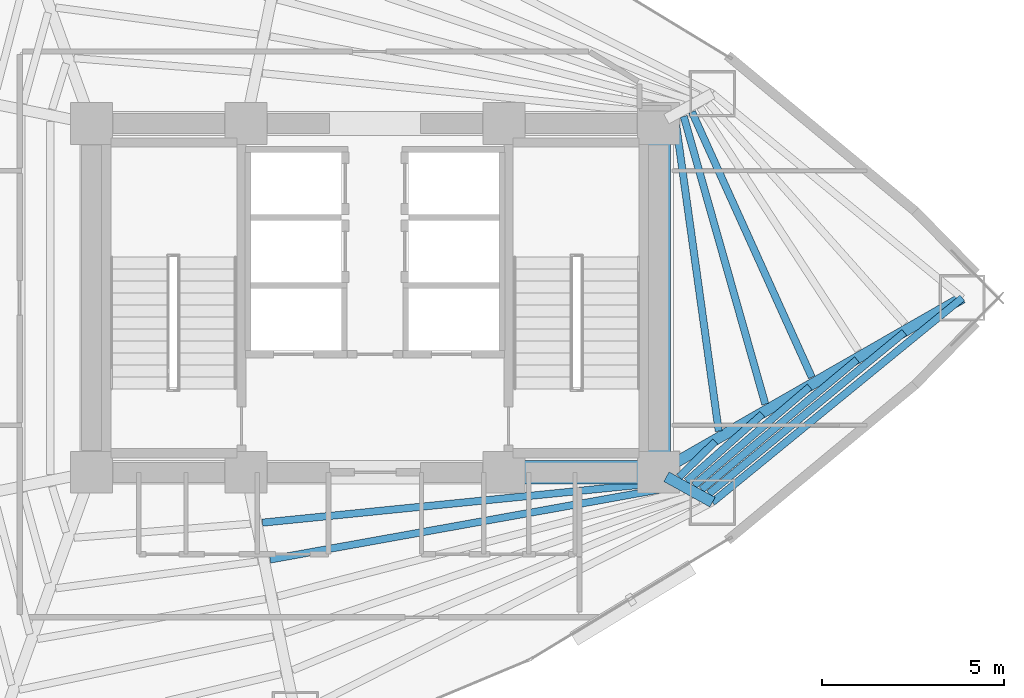
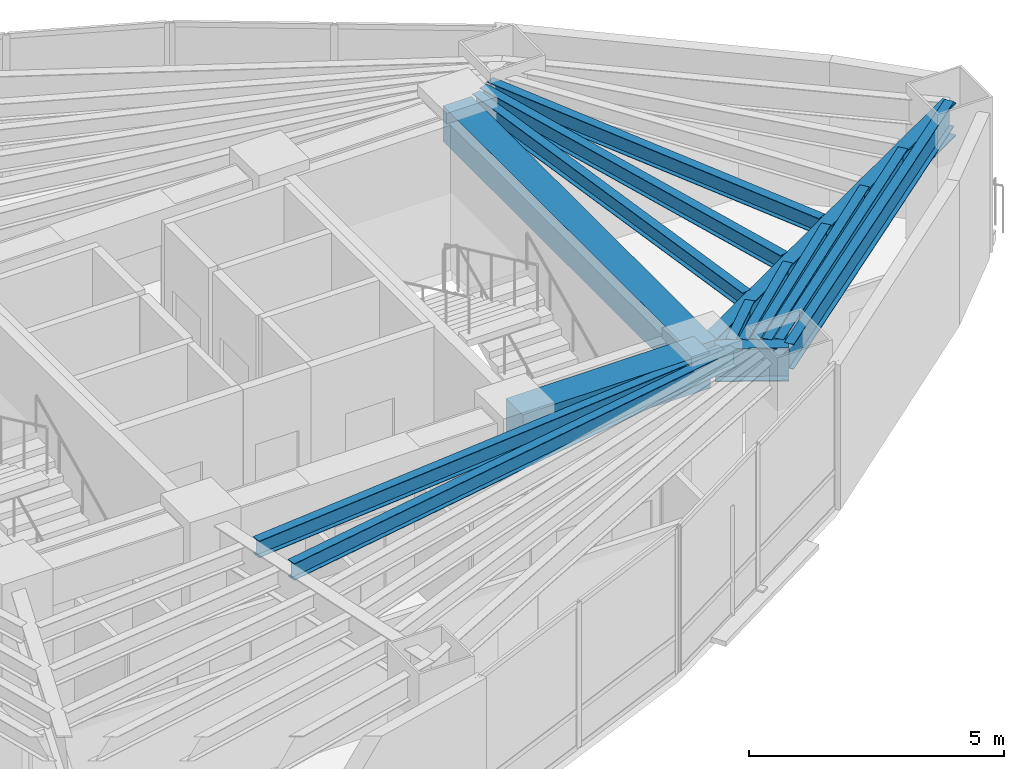
# One storey, part 6 of 18: 15 beams.
"""IFC4 building model written with IfcOpenShell, lengths in metres."""

from ifc_helpers import new_model, si_unit, direction, frame, origin, origin_2d, place, context, subcontext, project, spatial, rectangle, i_section, extrude, material, material_profile, profile_set, type_object, element, save


model = new_model("IFC4")

# Units and contexts
model_context = context("Model", 3, precision=1e-05, world=origin(), true_north=direction((0.0, 1.0)))
body_context = subcontext(model_context, "Body", "Model", "MODEL_VIEW")
ifc_project = project(units=[si_unit("LENGTHUNIT", "METRE"), si_unit("AREAUNIT", "SQUARE_METRE"), si_unit("VOLUMEUNIT", "CUBIC_METRE"), si_unit("PLANEANGLEUNIT", "RADIAN"), si_unit("MASSUNIT", "GRAM", prefix="KILO")], contexts=[model_context])

# Site, building, storey
site_placement = place(None, origin())
site = spatial("IfcSite", under=ifc_project, at=site_placement, CompositionType="ELEMENT")
building_placement = place(site_placement, origin())
building = spatial("IfcBuilding", under=site, at=building_placement, Name="Menara Vayukalpa", CompositionType="ELEMENT")
storey_placement = place(building_placement, frame((0.0, 0.0, 89.10009765625)))
storey = spatial("IfcBuildingStorey", under=building, at=storey_placement, Name="L21", CompositionType="ELEMENT", Elevation=89.10009765625)

# Beams
ifc_material_1 = material(Name="Concrete C60/75", Category="concrete")
ifc_material_profile_1 = material_profile(ifc_material_1, rectangle(XDim=0.64990234375, YDim=0.85009765625, at=origin_2d()), Name="RC 650x850")
ifc_profile_set_1 = profile_set([ifc_material_profile_1], Name="Concrete C60/75")
beam_type_1 = type_object("IfcBeamType", Name="BM-CB1", PredefinedType="BEAM", material=ifc_profile_set_1)
beam_1_placement = place(storey_placement, frame((29.14990234375, 17.199951171875, 3.044921875), z_axis=(1.0, 0.0, 0.0), x_axis=(0.0, 1.0, 0.0)))
element("IfcBeam", 1, at=beam_1_placement, inside=storey, type_object=beam_type_1, Name="L21 Core Tie Beam CBR3", PredefinedType="BEAM", context=body_context, shape_type="SweptSolid", body=[
    extrude(rectangle(XDim=0.64990234375, YDim=0.85009765625, at=origin_2d()), origin(), (0.0, 0.0, 1.0), 4.25),
])
beam_2_placement = place(storey_placement, frame((33.39990234375, 17.199951171875, 3.044921875), z_axis=(0.0, 1.0, 0.0), x_axis=(-1.0, 0.0, 0.0)))
element("IfcBeam", 2, at=beam_2_placement, inside=storey, type_object=beam_type_1, Name="L21 Core Tie Beam CBR8", PredefinedType="BEAM", context=body_context, shape_type="SweptSolid", body=[
    extrude(rectangle(XDim=0.64990234375, YDim=0.85009765625, at=origin_2d()), origin(), (0.0, 0.0, 1.0), 9.60009765625),
])
ifc_material_2 = material(Name="Steel S355", Category="steel")
ifc_material_profile_2 = material_profile(ifc_material_2, i_section(OverallWidth=0.300048828125, OverallDepth=0.800048828125, WebThickness=0.013916015625, FlangeThickness=0.02587890625, at=origin_2d()), Name="WF 800x300x14x26")
ifc_profile_set_2 = profile_set([ifc_material_profile_2], Name="Steel S355")
beam_type_2 = type_object("IfcBeamType", Name="BM-PG3", PredefinedType="BEAM", material=ifc_profile_set_2)
beam_3_placement = place(storey_placement, frame((33.61669921875, 17.324462890625, 3.06982421875), z_axis=(0.867273673572, 0.497831673488, 0.0), x_axis=(-0.497831673488, 0.867273673572, 0.0)))
element("IfcBeam", 3, at=beam_3_placement, inside=storey, type_object=beam_type_2, Name="L21 Primary Radial Girder RG01", PredefinedType="BEAM", context=body_context, shape_type="SweptSolid", body=[
    extrude(i_section(OverallWidth=0.300048828125, OverallDepth=0.800048828125, WebThickness=0.013916015625, FlangeThickness=0.02587890625, at=origin_2d()), origin(), (0.0, 0.0, 1.0), 9.391845703125),
])
beam_4_placement = place(storey_placement, frame((33.618896484375, 17.0791015625, 3.06982421875), z_axis=(0.875228391676, -0.48370989488, 0.0), x_axis=(0.48370989488, 0.875228391676, 0.0)))
element("IfcBeam", 4, at=beam_4_placement, inside=storey, type_object=beam_type_2, Name="L21 Primary Radial Girder RG09", PredefinedType="BEAM", context=body_context, shape_type="SweptSolid", body=[
    extrude(i_section(OverallWidth=0.300048828125, OverallDepth=0.800048828125, WebThickness=0.013916015625, FlangeThickness=0.02587890625, at=origin_2d()), origin(), (0.0, 0.0, 1.0), 1.448486328125),
])
ifc_material_3 = material(Name="Steel S355", Category="steel")
ifc_material_profile_3 = material_profile(ifc_material_3, i_section(OverallWidth=0.199951171875, OverallDepth=0.39990234375, WebThickness=0.008056640625, FlangeThickness=0.012939453125, at=origin_2d()), Name="WF 400x200x8x13")
ifc_profile_set_3 = profile_set([ifc_material_profile_3], Name="Steel S355")
beam_type_3 = type_object("IfcBeamType", Name="BM-SJ2", PredefinedType="JOIST", material=ifc_profile_set_3)
beam_5_placement = place(storey_placement, frame((35.0595703125, 18.33447265625, 3.27001953125), z_axis=(-0.137826740717, 0.990456354184, 0.0), x_axis=(-0.990456354184, -0.137826740717, 0.0)))
element("IfcBeam", 5, at=beam_5_placement, inside=storey, type_object=beam_type_3, Name="L21 Secondary Floor Joist SJ01-1", PredefinedType="JOIST", context=body_context, shape_type="SweptSolid", body=[
    extrude(i_section(OverallWidth=0.199951171875, OverallDepth=0.39990234375, WebThickness=0.008056640625, FlangeThickness=0.012939453125, at=origin_2d()), origin(), (0.0, 0.0, 1.0), 8.62646484375),
])
beam_6_placement = place(storey_placement, frame((36.33984375, 19.07763671875, 3.27001953125), z_axis=(-0.272628202831, 0.962119464007, 0.0), x_axis=(-0.962119464007, -0.272628202831, 0.0)))
element("IfcBeam", 6, at=beam_6_placement, inside=storey, type_object=beam_type_3, Name="L21 Secondary Floor Joist SJ01-2", PredefinedType="JOIST", context=body_context, shape_type="SweptSolid", body=[
    extrude(i_section(OverallWidth=0.199951171875, OverallDepth=0.39990234375, WebThickness=0.008056640625, FlangeThickness=0.012939453125, at=origin_2d()), origin(), (0.0, 0.0, 1.0), 8.229736328125),
])
beam_7_placement = place(storey_placement, frame((37.619384765625, 19.817138671875, 3.27001953125), z_axis=(-0.411603873645, 0.911362853753, 0.0), x_axis=(-0.911362853753, -0.411603873645, 0.0)))
element("IfcBeam", 7, at=beam_7_placement, inside=storey, type_object=beam_type_3, Name="L21 Secondary Floor Joist SJ01-3", PredefinedType="JOIST", context=body_context, shape_type="SweptSolid", body=[
    extrude(i_section(OverallWidth=0.199951171875, OverallDepth=0.39990234375, WebThickness=0.008056640625, FlangeThickness=0.012939453125, at=origin_2d()), origin(), (0.0, 0.0, 1.0), 8.00927734375),
])
beam_8_placement = place(storey_placement, frame((22.50439453125, 15.81591796875, 3.27001953125), z_axis=(0.995012836574, 0.099746955103, 0.0), x_axis=(-0.099746955103, 0.995012836574, 0.0)))
element("IfcBeam", 8, at=beam_8_placement, inside=storey, type_object=beam_type_3, Name="L21 Secondary Floor Joist SJ08-1", PredefinedType="JOIST", context=body_context, shape_type="SweptSolid", body=[
    extrude(i_section(OverallWidth=0.199951171875, OverallDepth=0.39990234375, WebThickness=0.008056640625, FlangeThickness=0.012939453125, at=origin_2d()), origin(), (0.0, 0.0, 1.0), 11.2294921875),
])
beam_9_placement = place(storey_placement, frame((22.7119140625, 14.801513671875, 3.27001953125), z_axis=(0.984205443357, 0.177030068819, 0.0), x_axis=(-0.177030068819, 0.984205443357, 0.0)))
element("IfcBeam", 9, at=beam_9_placement, inside=storey, type_object=beam_type_3, Name="L21 Secondary Floor Joist SJ08-2", PredefinedType="JOIST", context=body_context, shape_type="SweptSolid", body=[
    extrude(i_section(OverallWidth=0.199951171875, OverallDepth=0.39990234375, WebThickness=0.008056640625, FlangeThickness=0.012939453125, at=origin_2d()), origin(), (0.0, 0.0, 1.0), 11.349853515625),
])
beam_10_placement = place(storey_placement, frame((33.968505859375, 17.072021484375, 3.27001953125), z_axis=(0.713567159094, 0.700586832208, 0.0), x_axis=(-0.700586832208, 0.713567159094, 0.0)))
element("IfcBeam", 10, at=beam_10_placement, inside=storey, type_object=beam_type_3, Name="L21 Secondary Floor Joist SJ09-1", PredefinedType="JOIST", context=body_context, shape_type="SweptSolid", body=[
    extrude(i_section(OverallWidth=0.199951171875, OverallDepth=0.39990234375, WebThickness=0.008056640625, FlangeThickness=0.012939453125, at=origin_2d()), origin(), (0.0, 0.0, 1.0), 1.391845703125),
])
beam_11_placement = place(storey_placement, frame((34.177001953125, 16.95361328125, 3.27001953125), z_axis=(0.747951028434, 0.663753914539, 0.0), x_axis=(-0.663753914539, 0.747951028434, 0.0)))
element("IfcBeam", 11, at=beam_11_placement, inside=storey, type_object=beam_type_3, Name="L21 Secondary Floor Joist SJ09-2", PredefinedType="JOIST", context=body_context, shape_type="SweptSolid", body=[
    extrude(i_section(OverallWidth=0.199951171875, OverallDepth=0.39990234375, WebThickness=0.008056640625, FlangeThickness=0.012939453125, at=origin_2d()), origin(), (0.0, 0.0, 1.0), 2.78369140625),
])
beam_12_placement = place(storey_placement, frame((34.382080078125, 16.839111328125, 3.27001953125), z_axis=(0.760566613353, 0.649259906858, 0.0), x_axis=(-0.649259906858, 0.760566613353, 0.0)))
element("IfcBeam", 12, at=beam_12_placement, inside=storey, type_object=beam_type_3, Name="L21 Secondary Floor Joist SJ09-3", PredefinedType="JOIST", context=body_context, shape_type="SweptSolid", body=[
    extrude(i_section(OverallWidth=0.199951171875, OverallDepth=0.39990234375, WebThickness=0.008056640625, FlangeThickness=0.012939453125, at=origin_2d()), origin(), (0.0, 0.0, 1.0), 4.178466796875),
])
beam_13_placement = place(storey_placement, frame((34.586181640625, 16.7255859375, 3.27001953125), z_axis=(0.767139570374, 0.64148022539, 0.0), x_axis=(-0.64148022539, 0.767139570374, 0.0)))
element("IfcBeam", 13, at=beam_13_placement, inside=storey, type_object=beam_type_3, Name="L21 Secondary Floor Joist SJ09-4", PredefinedType="JOIST", context=body_context, shape_type="SweptSolid", body=[
    extrude(i_section(OverallWidth=0.199951171875, OverallDepth=0.39990234375, WebThickness=0.008056640625, FlangeThickness=0.012939453125, at=origin_2d()), origin(), (0.0, 0.0, 1.0), 5.57421875),
])
beam_14_placement = place(storey_placement, frame((34.789794921875, 16.61279296875, 3.27001953125), z_axis=(0.771153144941, 0.636649689428, 0.0), x_axis=(-0.636649689428, 0.771153144941, 0.0)))
element("IfcBeam", 14, at=beam_14_placement, inside=storey, type_object=beam_type_3, Name="L21 Secondary Floor Joist SJ09-5", PredefinedType="JOIST", context=body_context, shape_type="SweptSolid", body=[
    extrude(i_section(OverallWidth=0.199951171875, OverallDepth=0.39990234375, WebThickness=0.008056640625, FlangeThickness=0.012939453125, at=origin_2d()), origin(), (0.0, 0.0, 1.0), 6.969970703125),
])
ifc_material_4 = material(Name="Steel S355", Category="steel")
ifc_material_profile_4 = material_profile(ifc_material_4, i_section(OverallWidth=0.199951171875, OverallDepth=0.60009765625, WebThickness=0.010986328125, FlangeThickness=0.01708984375, at=origin_2d()), Name="WF 600x200x11x17")
ifc_profile_set_4 = profile_set([ifc_material_profile_4], Name="Steel S355")
beam_type_4 = type_object("IfcBeamType", Name="BM-SP1", PredefinedType="SPANDREL", material=ifc_profile_set_4)
beam_15_placement = place(storey_placement, frame((34.88671875, 16.37841796875, 3.169921875), z_axis=(0.774156906301, 0.632993747541, 0.0), x_axis=(-0.632993747541, 0.774156906301, 0.0)))
element("IfcBeam", 15, at=beam_15_placement, inside=storey, type_object=beam_type_4, Name="L21 Perimeter Spandrel Beam SP09", PredefinedType="SPANDREL", context=body_context, shape_type="SweptSolid", body=[
    extrude(i_section(OverallWidth=0.199951171875, OverallDepth=0.60009765625, WebThickness=0.010986328125, FlangeThickness=0.01708984375, at=origin_2d()), origin(), (0.0, 0.0, 1.0), 8.880859375),
])

save(model, "model.ifc")
